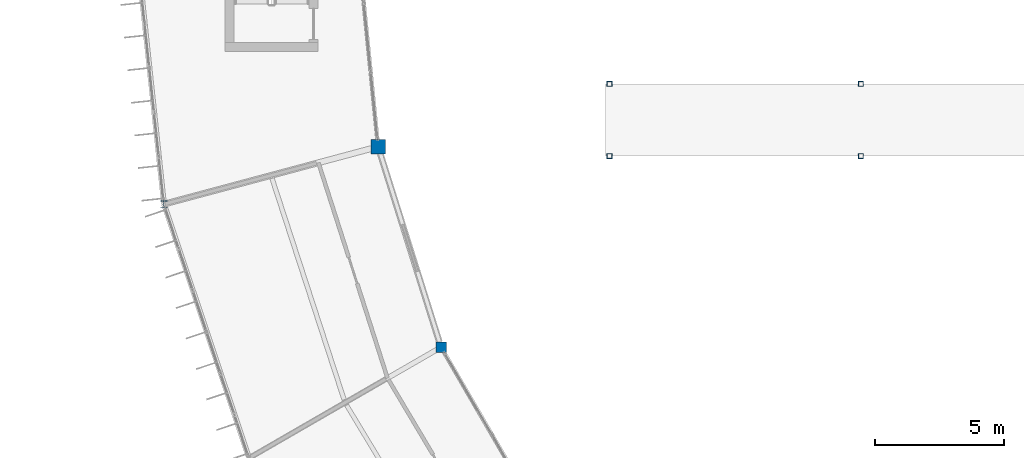
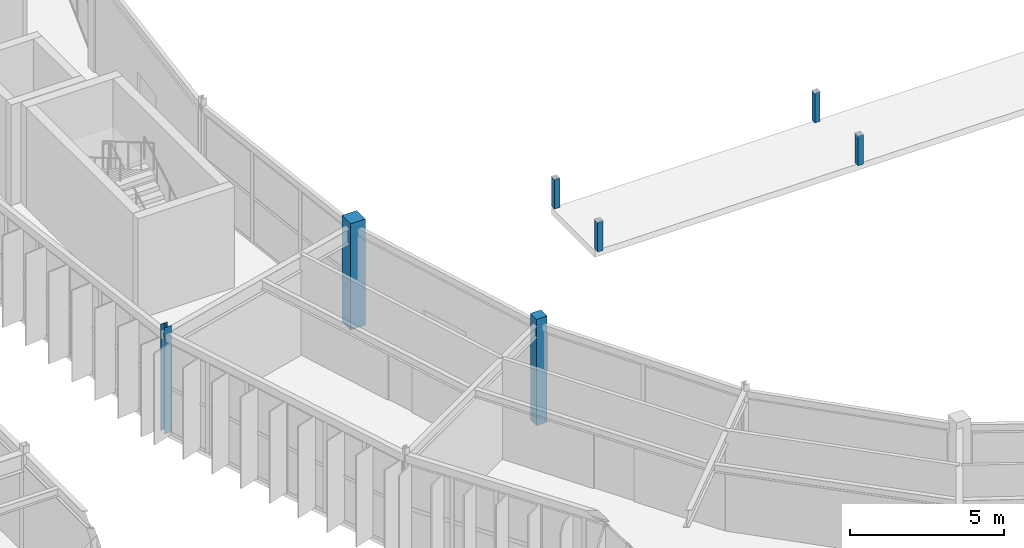
# One storey, part 6 of 157: 7 columns.
"""IFC4 building model written with IfcOpenShell, lengths in metres."""

from ifc_helpers import new_model, si_unit, direction, frame, origin, origin_2d, place, context, subcontext, project, spatial, rectangle, hollow_rectangle, i_section, extrude, material, material_profile, profile_set, type_object, element, save


model = new_model("IFC4")

# Units and contexts
model_context = context("Model", 3, precision=1e-05, world=origin(), true_north=direction((0.0, 1.0)))
body_context = subcontext(model_context, "Body", "Model", "MODEL_VIEW")
ifc_project = project(units=[si_unit("LENGTHUNIT", "METRE"), si_unit("AREAUNIT", "SQUARE_METRE"), si_unit("VOLUMEUNIT", "CUBIC_METRE"), si_unit("PLANEANGLEUNIT", "RADIAN"), si_unit("MASSUNIT", "GRAM", prefix="KILO")], contexts=[model_context])

# Site, building, storey
site_placement = place(None, origin())
site = spatial("IfcSite", under=ifc_project, at=site_placement, CompositionType="ELEMENT")
building_placement = place(site_placement, origin())
building = spatial("IfcBuilding", under=site, at=building_placement, Name="Karori Crest Natural Sciences Institute", CompositionType="ELEMENT")
storey_placement = place(building_placement, frame((0.0, 0.0, 13.300048828125)))
storey = spatial("IfcBuildingStorey", under=building, at=storey_placement, Name="L03", CompositionType="ELEMENT", Elevation=13.300048828125)

# Columns
ifc_material_1 = material(Name="Structural steel AS/NZS 3679.1 Grade 350", Category="steel")
ifc_material_profile_1 = material_profile(ifc_material_1, i_section(OverallWidth=0.25390625, OverallDepth=0.25390625, WebThickness=0.008544921875, FlangeThickness=0.01416015625, FilletRadius=0.013916015625, at=origin_2d()), Name="250UC72.9")
ifc_profile_set_1 = profile_set([ifc_material_profile_1], Name="Structural steel AS/NZS 3679.1 Grade 350")
column_type_1 = type_object("IfcColumnType", Name="CT-07", PredefinedType="COLUMN", material=ifc_profile_set_1)
column_1_placement = place(storey_placement, frame((34.5244140625, 39.340087890625, 0.0), z_axis=(0.0, 0.0, 1.0), x_axis=(1.0, 0.0, 0.0)))
element("IfcColumn", 1, at=column_1_placement, inside=storey, type_object=column_type_1, Name="Column C-0229", PredefinedType="COLUMN", context=body_context, shape_type="SweptSolid", body=[
    extrude(i_section(OverallWidth=0.25390625, OverallDepth=0.25390625, WebThickness=0.008544921875, FlangeThickness=0.01416015625, FilletRadius=0.013916015625, at=origin_2d()), origin(), (0.0, 0.0, 1.0), 4.199951171875),
])
ifc_material_2 = material(Name="Hollow structural steel AS/NZS 1163 Grade C350", Category="steel")
ifc_material_profile_2 = material_profile(ifc_material_2, hollow_rectangle(XDim=0.199951171875, YDim=0.199951171875, WallThickness=0.010009765625, at=origin_2d()), Name="SHS200x200x10")
ifc_profile_set_2 = profile_set([ifc_material_profile_2], Name="Hollow structural steel AS/NZS 1163 Grade C350")
column_type_2 = type_object("IfcColumnType", Name="CT-13-EL", PredefinedType="COLUMN", material=ifc_profile_set_2)
for number, where, z_axis, x_axis, name in (
    (2, (51.7900390625, 41.199951171875, 0.0), (0.0, 0.0, 1.0), (1.0, 0.0, 0.0), "Column C-0401"),
    (3, (51.7900390625, 44.0, 0.0), (0.0, 0.0, 1.0), (1.0, 0.0, 0.0), "Column C-0406"),
    (4, (61.530029296875, 41.199951171875, 0.0), (0.0, 0.0, 1.0), (1.0, 0.0, 0.0), "Column C-0411"),
    (5, (61.530029296875, 44.0, 0.0), (0.0, 0.0, 1.0), (1.0, 0.0, 0.0), "Column C-0416"),
):
    element("IfcColumn", number, at=place(storey_placement, frame(where, z_axis=z_axis, x_axis=x_axis)), inside=storey, type_object=column_type_2, Name=name, PredefinedType="COLUMN", context=body_context, shape_type="SweptSolid", body=[
        extrude(hollow_rectangle(XDim=0.199951171875, YDim=0.199951171875, WallThickness=0.010009765625, at=origin_2d()), origin(), (0.0, 0.0, 1.0), 1.14990234375),
    ])
ifc_material_3 = material(Name="Concrete 50 MPa", Category="concrete")
ifc_material_profile_3 = material_profile(ifc_material_3, rectangle(XDim=0.550048828125, YDim=0.550048828125, at=origin_2d()), Name="RC550x550")
ifc_profile_set_3 = profile_set([ifc_material_profile_3], Name="Concrete 50 MPa")
column_type_3 = type_object("IfcColumnType", Name="CT-30", PredefinedType="COLUMN", material=ifc_profile_set_3)
column_2_placement = place(storey_placement, frame((42.831298828125, 41.56591796875, 0.0), z_axis=(0.0, 0.0, 1.0), x_axis=(1.0, 0.0, 0.0)))
element("IfcColumn", 6, at=column_2_placement, inside=storey, type_object=column_type_3, Name="Column C-0230", PredefinedType="COLUMN", context=body_context, shape_type="SweptSolid", body=[
    extrude(rectangle(XDim=0.550048828125, YDim=0.550048828125, at=origin_2d()), origin(), (0.0, 0.0, 1.0), 4.199951171875),
])
ifc_material_profile_4 = material_profile(ifc_material_3, rectangle(XDim=0.39990234375, YDim=0.39990234375, at=origin_2d()), Name="RC400x400")
ifc_profile_set_4 = profile_set([ifc_material_profile_4], Name="Concrete 50 MPa")
column_type_4 = type_object("IfcColumnType", Name="CT-31", PredefinedType="PILASTER", material=ifc_profile_set_4)
column_3_placement = place(storey_placement, frame((45.26904296875, 33.800048828125, 0.0), z_axis=(0.0, 0.0, 1.0), x_axis=(1.0, 0.0, 0.0)))
element("IfcColumn", 7, at=column_3_placement, inside=storey, type_object=column_type_4, Name="Column C-0246", PredefinedType="PILASTER", context=body_context, shape_type="SweptSolid", body=[
    extrude(rectangle(XDim=0.39990234375, YDim=0.39990234375, at=origin_2d()), origin(), (0.0, 0.0, 1.0), 4.199951171875),
])

save(model, "model.ifc")
